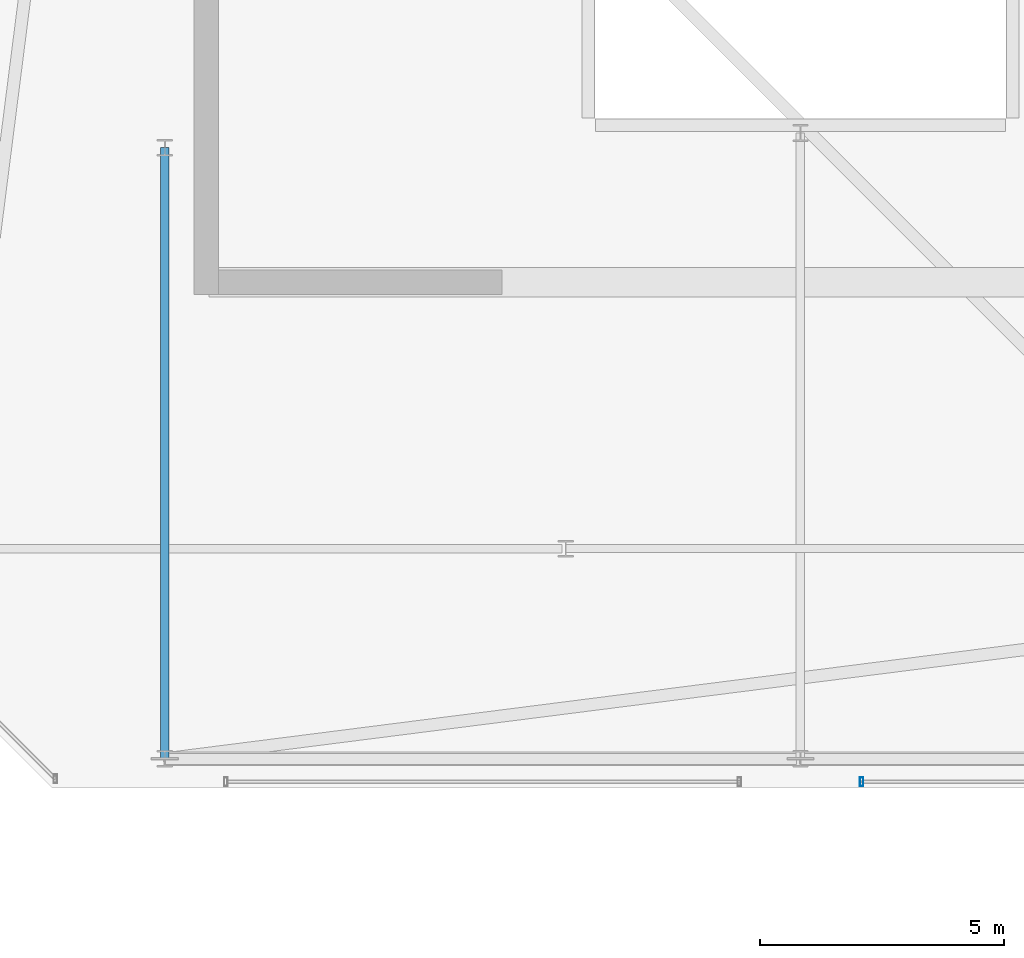
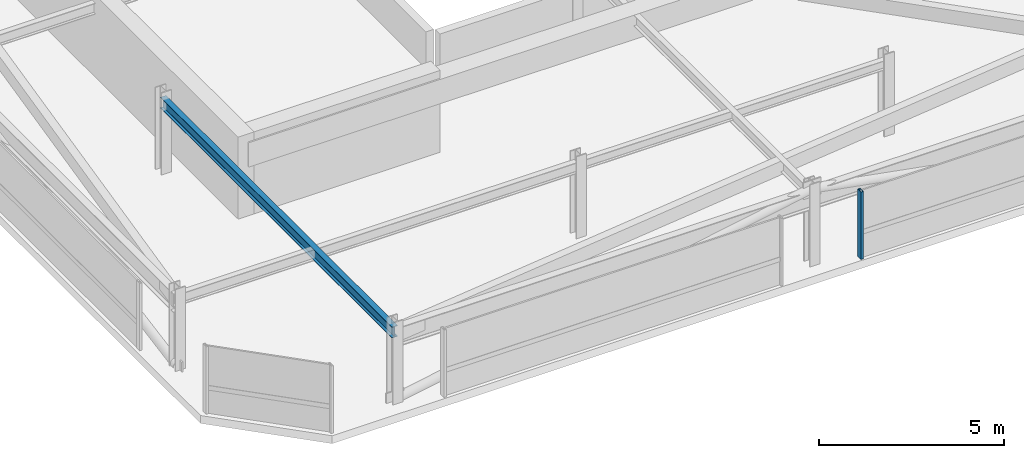
# One storey, part 28 of 42: 1 beam, 1 member, 1 element without a shape of its own.
"""IFC4 building model written with IfcOpenShell, lengths in metres."""

from ifc_helpers import new_model, si_unit, direction, frame, origin, origin_2d, place, context, subcontext, project, spatial, hollow_rectangle, i_section, extrude, material, material_profile, profile_set, type_object, element, aggregate, save


model = new_model("IFC4")

# Units and contexts
model_context = context("Model", 3, precision=1e-05, world=origin(), true_north=direction((0.0, 1.0)))
body_context = subcontext(model_context, "Body", "Model", "MODEL_VIEW")
ifc_project = project(units=[si_unit("LENGTHUNIT", "METRE"), si_unit("AREAUNIT", "SQUARE_METRE"), si_unit("VOLUMEUNIT", "CUBIC_METRE"), si_unit("PLANEANGLEUNIT", "RADIAN"), si_unit("MASSUNIT", "GRAM", prefix="KILO")], contexts=[model_context])

# Site, building, storey
site_placement = place(None, origin())
site = spatial("IfcSite", under=ifc_project, at=site_placement, CompositionType="ELEMENT")
building_placement = place(site_placement, origin())
building = spatial("IfcBuilding", under=site, at=building_placement, Name="Thornwick Lancets Civic Towers", CompositionType="ELEMENT")
storey_placement = place(building_placement, frame((0.0, 0.0, 286.800048828125)))
storey = spatial("IfcBuildingStorey", under=building, at=storey_placement, Name="C03", CompositionType="ELEMENT", Elevation=286.800048828125)

# Beam
ifc_material_1 = material(Name="Steel S355JR", Category="steel")
ifc_material_profile_1 = material_profile(ifc_material_1, i_section(OverallWidth=0.173095703125, OverallDepth=0.36328125, WebThickness=0.009033203125, FlangeThickness=0.015625, FilletRadius=0.01025390625, at=origin_2d()), Name="UKB 356x171x67")
ifc_profile_set_1 = profile_set([ifc_material_profile_1], Name="Steel S355JR")
beam_type = type_object("IfcBeamType", Name="BM_JOIST_356_67", PredefinedType="JOIST", material=ifc_profile_set_1)
beam_placement = place(storey_placement, frame((75.5, 22.199951171875, 2.25830078125), z_axis=(0.0, -1.0, 0.0), x_axis=(1.0, 0.0, 0.0)))
element("IfcBeam", 1, at=beam_placement, inside=storey, type_object=beam_type, Name="BM-RADIN-C03-B12", PredefinedType="JOIST", context=body_context, shape_type="SweptSolid", body=[
    extrude(i_section(OverallWidth=0.173095703125, OverallDepth=0.36328125, WebThickness=0.009033203125, FlangeThickness=0.015625, FilletRadius=0.01025390625, at=origin_2d()), origin(), (0.0, 0.0, 1.0), 12.5),
])

# Curtain wall, member
ifc_material_2 = material(Name="Crown ring acoustic-louvre and glazing screen wall", Category="glass")
curtain_wall_type = type_object("IfcCurtainWallType", Name="CW_SYS_07", PredefinedType="NOTDEFINED", material=ifc_material_2)
curtain_wall_placement = place(storey_placement, origin())
curtain_wall = element("IfcCurtainWall", 2, at=curtain_wall_placement, inside=storey, type_object=curtain_wall_type, Name="C03 Curtain Wall CW-C03-B-E0-S2", PredefinedType="NOTDEFINED")
ifc_material_3 = material(Name="Thermally broken bronze aluminium S355", Category="steel")
ifc_material_profile_2 = material_profile(ifc_material_3, hollow_rectangle(XDim=0.074951171875, YDim=0.179931640625, WallThickness=0.006103515625, at=origin_2d()), Name="RHS 180x75x6")
ifc_profile_set_2 = profile_set([ifc_material_profile_2], Name="Thermally broken bronze aluminium S355")
member_type = type_object("IfcMemberType", Name="CW_MUL_180", PredefinedType="MULLION", material=ifc_profile_set_2)
member_placement = place(storey_placement, frame((89.75, 9.2353515625, 0.0), z_axis=(0.0, 0.0, 1.0), x_axis=(1.0, 0.0, 0.0)))
member = element("IfcMember", 3, at=member_placement, type_object=member_type, Name="CW-C03-B-E0-S2 Mullion 0", PredefinedType="MULLION", context=body_context, shape_type="SweptSolid", body=[
    extrude(hollow_rectangle(XDim=0.074951171875, YDim=0.179931640625, WallThickness=0.006103515625, at=origin_2d()), origin(), (0.0, 0.0, 1.0), 2.219970703125),
])
aggregate(curtain_wall, [member])

save(model, "model.ifc")
